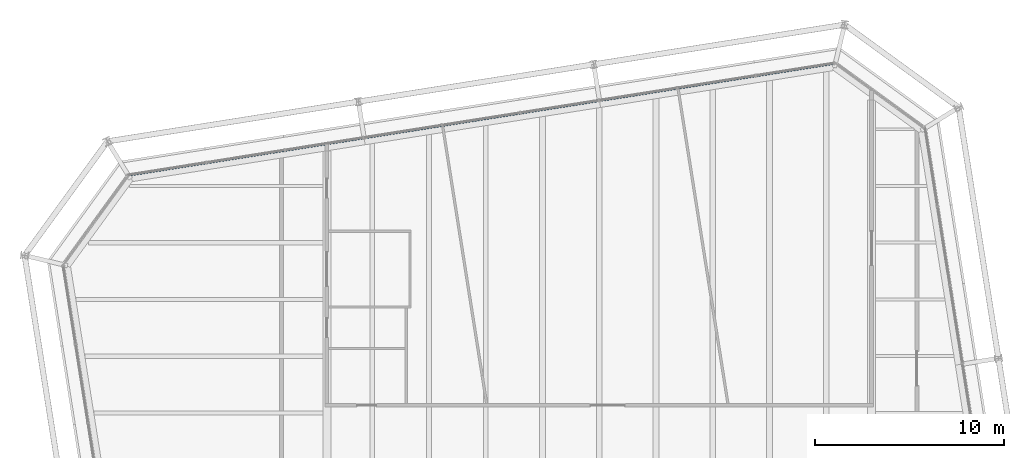
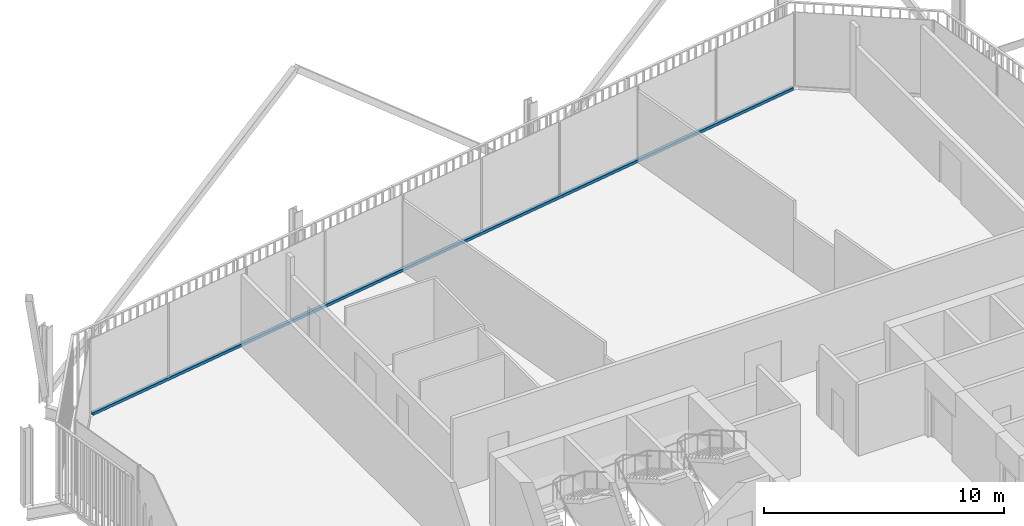
# One storey, part 14 of 21: 1 member, 1 element without a shape of its own.
"""IFC4 building model written with IfcOpenShell, lengths in metres."""

from ifc_helpers import new_model, si_unit, direction, frame, origin, origin_2d, place, context, subcontext, project, spatial, rectangle, extrude, material, layer, layer_set, material_profile, profile_set, type_object, element, aggregate, save


model = new_model("IFC4")

# Units and contexts
model_context = context("Model", 3, precision=1e-05, world=origin(), true_north=direction((0.0, 1.0)))
body_context = subcontext(model_context, "Body", "Model", "MODEL_VIEW")
ifc_project = project(units=[si_unit("LENGTHUNIT", "METRE"), si_unit("AREAUNIT", "SQUARE_METRE"), si_unit("VOLUMEUNIT", "CUBIC_METRE"), si_unit("PLANEANGLEUNIT", "RADIAN"), si_unit("MASSUNIT", "GRAM", prefix="KILO")], contexts=[model_context])

# Site, building, storey
site_placement = place(None, origin())
site = spatial("IfcSite", under=ifc_project, at=site_placement, CompositionType="ELEMENT")
building_placement = place(site_placement, origin())
building = spatial("IfcBuilding", under=site, at=building_placement, Name="Millrace Tower", CompositionType="ELEMENT")
storey_placement = place(building_placement, frame((0.0, 0.0, 235.89990234375)))
storey = spatial("IfcBuildingStorey", under=building, at=storey_placement, Name="L54", CompositionType="ELEMENT", Elevation=235.89990234375)

# Curtain wall, member
ifc_material_1 = material(Name="Aluminium and glass", Category="aluminium")
ifc_layer = layer(ifc_material_1, 0.14990234375)
ifc_layer_set = layer_set([ifc_layer], Name="Aluminium and glass")
curtain_wall_type = type_object("IfcCurtainWallType", Name="CW-1 office vision curtain wall", PredefinedType="NOTDEFINED", material=ifc_layer_set)
curtain_wall_placement = place(storey_placement, origin())
curtain_wall = element("IfcCurtainWall", 1, at=curtain_wall_placement, inside=storey, type_object=curtain_wall_type, Name="Curtain wall D-F06 L54", PredefinedType="NOTDEFINED")
ifc_material_2 = material(Name="Aluminium", Category="aluminium")
ifc_material_profile = material_profile(ifc_material_2, rectangle(XDim=0.14990234375, YDim=0.139892578125, at=origin_2d()))
ifc_profile_set = profile_set([ifc_material_profile], Name="Aluminium")
member_type = type_object("IfcMemberType", Name="CW-1 office vision curtain wall transom", PredefinedType="USERDEFINED", material=ifc_profile_set)
member_placement = place(storey_placement, frame((12.35888671875, 30.48193359375, 0.070068359375), z_axis=(-0.987687829698, -0.156437690685, 0.0), x_axis=(0.156437690685, -0.987687829698, 0.0)))
member = element("IfcMember", 2, at=member_placement, type_object=member_type, Name="CW1 transom D-F06.1", ObjectType="TRANSOM", PredefinedType="USERDEFINED", context=body_context, shape_type="SweptSolid", body=[
    extrude(rectangle(XDim=0.14990234375, YDim=0.139892578125, at=origin_2d()), origin(), (0.0, 0.0, 1.0), 37.60009765625),
])
aggregate(curtain_wall, [member])

save(model, "model.ifc")
